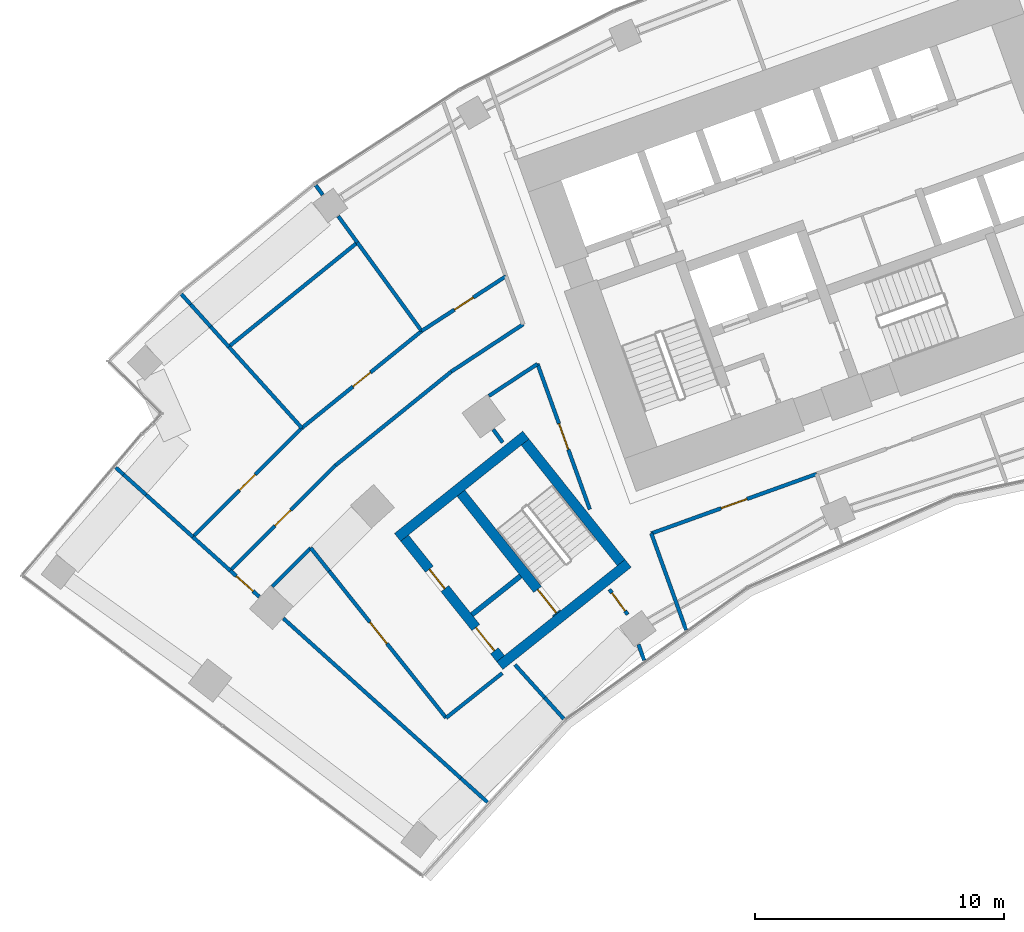
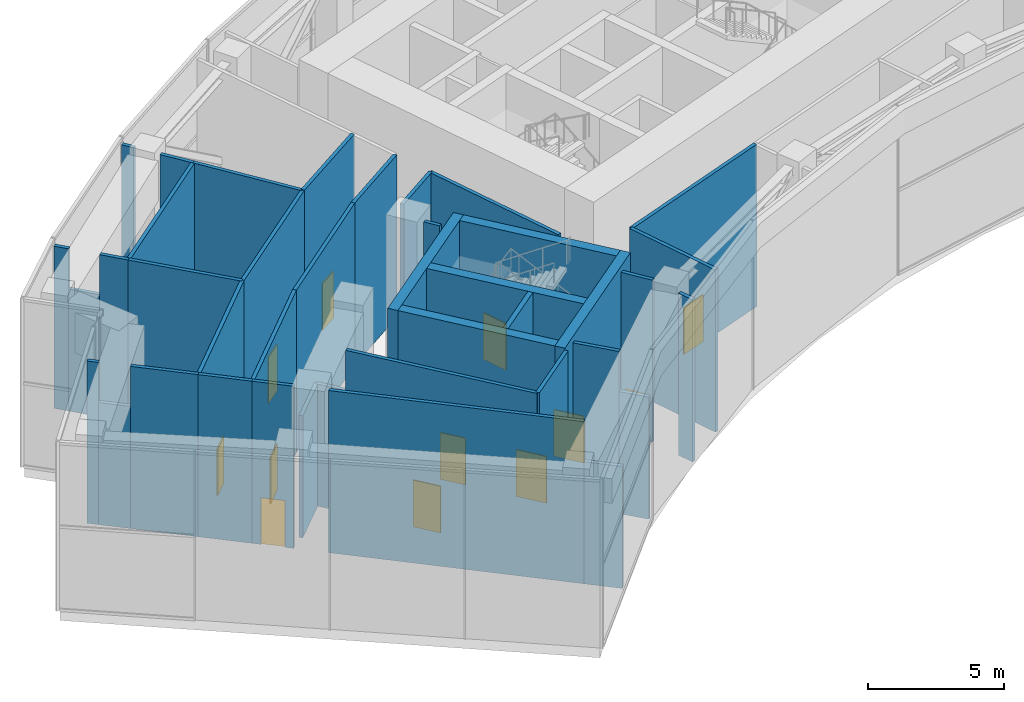
# One storey, part 23 of 32: 40 walls, 12 doors, 12 openings.
"""IFC4 building model written with IfcOpenShell, lengths in metres."""

from ifc_helpers import new_model, si_unit, direction, frame, frame_2d, origin, place, context, subcontext, project, spatial, rectangle, extrude, material, layer, layer_set, type_object, element, fill, save


model = new_model("IFC4")

# Units and contexts
model_context = context("Model", 3, precision=1e-05, world=origin(), true_north=direction((0.0, 1.0)))
body_context = subcontext(model_context, "Body", "Model", "MODEL_VIEW")
ifc_project = project(units=[si_unit("LENGTHUNIT", "METRE"), si_unit("AREAUNIT", "SQUARE_METRE"), si_unit("VOLUMEUNIT", "CUBIC_METRE"), si_unit("PLANEANGLEUNIT", "RADIAN"), si_unit("MASSUNIT", "GRAM", prefix="KILO")], contexts=[model_context])

# Site, building, storey
site_placement = place(None, origin())
site = spatial("IfcSite", under=ifc_project, at=site_placement, CompositionType="ELEMENT")
building_placement = place(site_placement, origin())
building = spatial("IfcBuilding", under=site, at=building_placement, Name="Stone Belt Terrace Tower", CompositionType="ELEMENT")
storey_placement = place(building_placement, frame((0.0, 0.0, 193.39990234375)))
storey = spatial("IfcBuildingStorey", under=building, at=storey_placement, Name="L47", CompositionType="ELEMENT", Elevation=193.39990234375)

# Wall
ifc_material_1 = material(Name="Gypsum board partition")
ifc_layer_1 = layer(ifc_material_1, 0.14990234375)
ifc_layer_set_1 = layer_set([ifc_layer_1], Name="PARTITION 150 EI 60")
wall_type_1 = type_object("IfcWallType", Name="PARTITION 150 EI 60", PredefinedType="PARTITIONING", material=ifc_layer_set_1)
wall_1_placement = place(storey_placement, frame((-25.5859375, 39.79296875, 0.0), z_axis=(0.0, 0.0, 1.0), x_axis=(0.338545933013, -0.940949866486, 0.0)))
element("IfcWall", 1, at=wall_1_placement, inside=storey, type_object=wall_type_1, Name="L47/wall/i001", PredefinedType="PARTITIONING", context=body_context, shape_type="SweptSolid", body=[
    extrude(rectangle(XDim=4.135009765625, YDim=0.14990234375, at=frame_2d((2.0673828125, 0.0))), origin(), (0.0, 0.0, 1.0), 7.280029296875),
])

# Wall, opening, door
wall_2_placement = place(storey_placement, frame((-28.05810546875, 40.75390625, 0.0), z_axis=(0.0, 0.0, 1.0), x_axis=(-0.338523697563, 0.94095786632, 0.0)))
wall_2 = element("IfcWall", 2, at=wall_2_placement, inside=storey, type_object=wall_type_1, Name="L47/wall/i003", PredefinedType="PARTITIONING", context=body_context, shape_type="SweptSolid", body=[
    extrude(rectangle(XDim=6.226806640625, YDim=0.14990234375, at=frame_2d((3.11328125, 0.0))), origin(), (0.0, 0.0, 1.0), 7.280029296875),
])
opening_1_placement = place(wall_2_placement, frame((2.563232421875, 0.0, 0.0)))
opening_1 = element("IfcOpeningElement", 3, at=opening_1_placement, cuts=wall_2, Name="Opening D-T3-12", PredefinedType="OPENING", context=body_context, shape_type="SweptSolid", body=[
    extrude(rectangle(XDim=1.10009765625, YDim=2.10009765625, at=frame_2d((0.550048828125, 1.050048828125))), frame((0.0, 0.0849609375, 0.0), z_axis=(0.0, -1.0, 0.0), x_axis=(1.0, 0.0, 0.0)), (0.0, 0.0, 1.0), 0.169921875),
])
ifc_material_2 = material(Name="Steel fire door set", Category="steel")
door_type_1 = type_object("IfcDoorType", Name="SERVICE ROOM DOOR 1100 X 2100", OperationType="NOTDEFINED", PredefinedType="DOOR", material=ifc_material_2)
door_1_placement = place(opening_1_placement, origin())
door_1 = element("IfcDoor", 4, at=door_1_placement, inside=storey, type_object=door_type_1, Name="L47/door/i12", OperationType="SINGLE_SWING_RIGHT", OverallHeight=2.10009765625, OverallWidth=1.10009765625, PredefinedType="DOOR", context=body_context, shape_type="SweptSolid", body=[
    extrude(rectangle(XDim=1.10009765625, YDim=2.10009765625, at=frame_2d((0.550048828125, 1.050048828125))), frame((0.0, 0.02490234375, 0.0), z_axis=(0.0, -1.0, 0.0), x_axis=(1.0, 0.0, 0.0)), (0.0, 0.0, 1.0), 0.050048828125),
])
fill(opening_1, door_1)

# Wall
wall_3_placement = place(storey_placement, frame((-25.870849609375, 34.67822265625, 0.0), z_axis=(0.0, 0.0, 1.0), x_axis=(-0.338744881741, 0.940878262632, 0.0)))
element("IfcWall", 5, at=wall_3_placement, inside=storey, type_object=wall_type_1, Name="L47/wall/i004", PredefinedType="PARTITIONING", context=body_context, shape_type="SweptSolid", body=[
    extrude(rectangle(XDim=0.680419921875, YDim=0.14990234375, at=frame_2d((0.34033203125, 0.0))), origin(), (0.0, 0.0, 1.0), 7.280029296875),
])

# Wall, opening, door
wall_4_placement = place(storey_placement, frame((-26.534912109375, 36.52294921875, 0.0), z_axis=(0.0, 0.0, 1.0), x_axis=(-0.58822969918, 0.80869389821, 0.0)))
wall_4 = element("IfcWall", 6, at=wall_4_placement, inside=storey, type_object=wall_type_1, Name="L47/wall/i005", PredefinedType="PARTITIONING", context=body_context, shape_type="SweptSolid", body=[
    extrude(rectangle(XDim=1.25146484375, YDim=0.14990234375, at=frame_2d((0.625732421875, 0.0))), origin(), (0.0, 0.0, 1.0), 7.280029296875),
])
opening_2_placement = place(wall_4_placement, frame((0.17578125, 0.0, 0.0)))
opening_2 = element("IfcOpeningElement", 7, at=opening_2_placement, cuts=wall_4, Name="Opening D-T3-13", PredefinedType="OPENING", context=body_context, shape_type="SweptSolid", body=[
    extrude(rectangle(XDim=0.89990234375, YDim=2.10009765625, at=frame_2d((0.449951171875, 1.050048828125))), frame((0.0, 0.0849609375, 0.0), z_axis=(0.0, -1.0, 0.0), x_axis=(1.0, 0.0, 0.0)), (0.0, 0.0, 1.0), 0.169921875),
])
door_type_2 = type_object("IfcDoorType", Name="SERVICE ROOM DOOR 900 X 2100", OperationType="NOTDEFINED", PredefinedType="DOOR", material=ifc_material_2)
door_2_placement = place(opening_2_placement, origin())
door_2 = element("IfcDoor", 8, at=door_2_placement, inside=storey, type_object=door_type_2, Name="L47/door/i13", OperationType="SINGLE_SWING_RIGHT", OverallHeight=2.10009765625, OverallWidth=0.89990234375, PredefinedType="DOOR", context=body_context, shape_type="SweptSolid", body=[
    extrude(rectangle(XDim=0.89990234375, YDim=2.10009765625, at=frame_2d((0.449951171875, 1.050048828125))), frame((0.0, 0.02490234375, 0.0), z_axis=(0.0, -1.0, 0.0), x_axis=(1.0, 0.0, 0.0)), (0.0, 0.0, 1.0), 0.050048828125),
])
fill(opening_2, door_2)

wall_5_placement = place(storey_placement, frame((-18.928955078125, 42.181884765625, 0.0), z_axis=(0.0, 0.0, 1.0), x_axis=(-0.940934046642, -0.338589899245, 0.0)))
wall_5 = element("IfcWall", 9, at=wall_5_placement, inside=storey, type_object=wall_type_1, Name="L47/wall/i012", PredefinedType="PARTITIONING", context=body_context, shape_type="SweptSolid", body=[
    extrude(rectangle(XDim=7.07275390625, YDim=0.14990234375, at=frame_2d((3.536376953125, 0.0))), origin(), (0.0, 0.0, 1.0), 7.280029296875),
])
opening_3_placement = place(wall_5_placement, frame((2.986328125, 0.0, 0.0)))
opening_3 = element("IfcOpeningElement", 10, at=opening_3_placement, cuts=wall_5, Name="Opening D-T3-01", PredefinedType="OPENING", context=body_context, shape_type="SweptSolid", body=[
    extrude(rectangle(XDim=1.10009765625, YDim=2.10009765625, at=frame_2d((0.550048828125, 1.050048828125))), frame((0.0, 0.0849609375, 0.0), z_axis=(0.0, -1.0, 0.0), x_axis=(1.0, 0.0, 0.0)), (0.0, 0.0, 1.0), 0.169921875),
])
door_3_placement = place(opening_3_placement, origin())
door_3 = element("IfcDoor", 11, at=door_3_placement, inside=storey, type_object=door_type_1, Name="L47/door/i01", OperationType="SINGLE_SWING_LEFT", OverallHeight=2.10009765625, OverallWidth=1.10009765625, PredefinedType="DOOR", context=body_context, shape_type="SweptSolid", body=[
    extrude(rectangle(XDim=1.10009765625, YDim=2.10009765625, at=frame_2d((0.550048828125, 1.050048828125))), frame((0.0, 0.02490234375, 0.0), z_axis=(0.0, -1.0, 0.0), x_axis=(1.0, 0.0, 0.0)), (0.0, 0.0, 1.0), 0.050048828125),
])
fill(opening_3, door_3)

wall_6_placement = place(storey_placement, frame((-41.35986328125, 37.240478515625, 0.0), z_axis=(0.0, 0.0, 1.0), x_axis=(-0.742885543222, 0.669418456327, 0.0)))
wall_6 = element("IfcWall", 12, at=wall_6_placement, inside=storey, type_object=wall_type_1, Name="L47/wall/i036", PredefinedType="PARTITIONING", context=body_context, shape_type="SweptSolid", body=[
    extrude(rectangle(XDim=1.5751953125, YDim=0.14990234375, at=frame_2d((0.78759765625, 0.0))), origin(), (0.0, 0.0, 1.0), 7.280029296875),
])
opening_4_placement = place(wall_6_placement, frame((0.337646484375, 0.0, 0.0)))
opening_4 = element("IfcOpeningElement", 13, at=opening_4_placement, cuts=wall_6, Name="Opening D-T3-11", PredefinedType="OPENING", context=body_context, shape_type="SweptSolid", body=[
    extrude(rectangle(XDim=0.89990234375, YDim=2.10009765625, at=frame_2d((0.449951171875, 1.050048828125))), frame((0.0, 0.0849609375, 0.0), z_axis=(0.0, -1.0, 0.0), x_axis=(1.0, 0.0, 0.0)), (0.0, 0.0, 1.0), 0.169921875),
])
door_4_placement = place(opening_4_placement, origin())
door_4 = element("IfcDoor", 14, at=door_4_placement, inside=storey, type_object=door_type_2, Name="L47/door/i11", OperationType="SINGLE_SWING_RIGHT", OverallHeight=2.10009765625, OverallWidth=0.89990234375, PredefinedType="DOOR", context=body_context, shape_type="SweptSolid", body=[
    extrude(rectangle(XDim=0.89990234375, YDim=2.10009765625, at=frame_2d((0.449951171875, 1.050048828125))), frame((0.0, 0.02490234375, 0.0), z_axis=(0.0, -1.0, 0.0), x_axis=(1.0, 0.0, 0.0)), (0.0, 0.0, 1.0), 0.050048828125),
])
fill(opening_4, door_4)

# Walls
wall_7_placement = place(storey_placement, frame((-40.385986328125, 36.3642578125, 0.0), z_axis=(0.0, 0.0, 1.0), x_axis=(0.743117141766, -0.669161350956, 0.0)))
element("IfcWall", 15, at=wall_7_placement, inside=storey, type_object=wall_type_1, Name="L47/wall/i037-1", PredefinedType="PARTITIONING", context=body_context, shape_type="SweptSolid", body=[
    extrude(rectangle(XDim=9.60302734375, YDim=0.14990234375, at=frame_2d((4.801513671875, 0.0))), origin(), (0.0, 0.0, 1.0), 7.280029296875),
])
wall_8_placement = place(storey_placement, frame((-33.249755859375, 29.938232421875, 0.0), z_axis=(0.0, 0.0, 1.0), x_axis=(0.743201773194, -0.6690673541, 0.0)))
element("IfcWall", 16, at=wall_8_placement, inside=storey, type_object=wall_type_1, Name="L47/wall/i037-2", PredefinedType="PARTITIONING", context=body_context, shape_type="SweptSolid", body=[
    extrude(rectangle(XDim=1.44580078125, YDim=0.14990234375, at=frame_2d((0.722900390625, 0.0))), origin(), (0.0, 0.0, 1.0), 5.47998046875),
])
wall_9_placement = place(storey_placement, frame((-44.033935546875, 39.64794921875, 0.0), z_axis=(0.0, 0.0, 1.0), x_axis=(0.743276242629, -0.668984623997, 0.0)))
element("IfcWall", 17, at=wall_9_placement, inside=storey, type_object=wall_type_1, Name="L47/wall/i038", PredefinedType="PARTITIONING", context=body_context, shape_type="SweptSolid", body=[
    extrude(rectangle(XDim=2.0341796875, YDim=0.14990234375, at=frame_2d((1.01708984375, 0.0))), origin(), (0.0, 0.0, 1.0), 7.280029296875),
])
wall_10_placement = place(storey_placement, frame((-47.133056640625, 42.438720703125, 0.0), z_axis=(0.0, 0.0, 1.0), x_axis=(0.743265954912, -0.668996054001, 0.0)))
element("IfcWall", 18, at=wall_10_placement, inside=storey, type_object=wall_type_1, Name="L47/wall/i039-1", PredefinedType="PARTITIONING", context=body_context, shape_type="SweptSolid", body=[
    extrude(rectangle(XDim=0.4306640625, YDim=0.14990234375, at=frame_2d((0.21533203125, 0.0))), origin(), (0.0, 0.0, 1.0), 7.280029296875),
])
wall_11_placement = place(storey_placement, frame((-46.81298828125, 42.150634765625, 0.0), z_axis=(0.0, 0.0, 1.0), x_axis=(0.743183102844, -0.669088092591, 0.0)))
element("IfcWall", 19, at=wall_11_placement, inside=storey, type_object=wall_type_1, Name="L47/wall/i039-2", PredefinedType="PARTITIONING", context=body_context, shape_type="SweptSolid", body=[
    extrude(rectangle(XDim=1.20263671875, YDim=0.14990234375, at=frame_2d((0.601318359375, 0.0))), origin(), (0.0, 0.0, 1.0), 5.47998046875),
])
wall_12_placement = place(storey_placement, frame((-45.919189453125, 41.345947265625, 0.0), z_axis=(0.0, 0.0, 1.0), x_axis=(0.743298909679, -0.668959438882, 0.0)))
element("IfcWall", 20, at=wall_12_placement, inside=storey, type_object=wall_type_1, Name="L47/wall/i039-3", PredefinedType="PARTITIONING", context=body_context, shape_type="SweptSolid", body=[
    extrude(rectangle(XDim=2.548583984375, YDim=0.14990234375, at=frame_2d((1.2744140625, 0.0))), origin(), (0.0, 0.0, 1.0), 7.280029296875),
])
wall_13_placement = place(storey_placement, frame((-30.1650390625, 46.60595703125, 0.0), z_axis=(0.0, 0.0, 1.0), x_axis=(-0.835424653074, -0.549604993641, 0.0)))
element("IfcWall", 21, at=wall_13_placement, inside=storey, type_object=wall_type_1, Name="L47/wall/i040", PredefinedType="PARTITIONING", context=body_context, shape_type="SweptSolid", body=[
    extrude(rectangle(XDim=2.337890625, YDim=0.14990234375, at=frame_2d((1.1689453125, 0.0))), origin(), (0.0, 0.0, 1.0), 7.280029296875),
])
wall_14_placement = place(storey_placement, frame((-31.943115234375, 43.966064453125, 0.0), z_axis=(0.0, 0.0, 1.0), x_axis=(0.588149120926, -0.808752503275, 0.0)))
element("IfcWall", 22, at=wall_14_placement, inside=storey, type_object=wall_type_1, Name="L47/wall/i041", PredefinedType="PARTITIONING", context=body_context, shape_type="SweptSolid", body=[
    extrude(rectangle(XDim=0.64306640625, YDim=0.14990234375, at=frame_2d((0.321533203125, 0.0))), origin(), (0.0, 0.0, 1.0), 7.280029296875),
])
wall_15_placement = place(storey_placement, frame((-39.281982421875, 39.205078125, 0.0), z_axis=(0.0, 0.0, 1.0), x_axis=(-0.707106781187, -0.707106781187, 0.0)))
element("IfcWall", 23, at=wall_15_placement, inside=storey, type_object=wall_type_1, Name="L47/wall/i042", PredefinedType="PARTITIONING", context=body_context, shape_type="SweptSolid", body=[
    extrude(rectangle(XDim=2.1982421875, YDim=0.14990234375, at=frame_2d((1.09912109375, 0.0))), origin(), (0.0, 0.0, 1.0), 5.47998046875),
])

# Wall, opening, door
wall_16_placement = place(storey_placement, frame((-42.52587890625, 38.291015625, 0.0), z_axis=(0.0, 0.0, 1.0), x_axis=(0.707106781187, 0.707106781187, 0.0)))
wall_16 = element("IfcWall", 24, at=wall_16_placement, inside=storey, type_object=wall_type_1, Name="L47/wall/i043", PredefinedType="PARTITIONING", context=body_context, shape_type="SweptSolid", body=[
    extrude(rectangle(XDim=5.989013671875, YDim=0.14990234375, at=frame_2d((2.99462890625, 0.0))), origin(), (0.0, 0.0, 1.0), 7.280029296875),
])
opening_5_placement = place(wall_16_placement, frame((2.544677734375, 0.0, 0.0)))
opening_5 = element("IfcOpeningElement", 25, at=opening_5_placement, cuts=wall_16, Name="Opening D-T3-15", PredefinedType="OPENING", context=body_context, shape_type="SweptSolid", body=[
    extrude(rectangle(XDim=0.89990234375, YDim=2.10009765625, at=frame_2d((0.449951171875, 1.050048828125))), frame((0.0, 0.0849609375, 0.0), z_axis=(0.0, -1.0, 0.0), x_axis=(1.0, 0.0, 0.0)), (0.0, 0.0, 1.0), 0.169921875),
])
ifc_material_3 = material(Name="Timber door leaf", Category="wood")
door_type_3 = type_object("IfcDoorType", Name="OFFICE DOOR 900 X 2100", OperationType="NOTDEFINED", PredefinedType="DOOR", material=ifc_material_3)
door_5_placement = place(opening_5_placement, origin())
door_5 = element("IfcDoor", 26, at=door_5_placement, inside=storey, type_object=door_type_3, Name="L47/door/i15", OperationType="SINGLE_SWING_RIGHT", OverallHeight=2.10009765625, OverallWidth=0.89990234375, PredefinedType="DOOR", context=body_context, shape_type="SweptSolid", body=[
    extrude(rectangle(XDim=0.89990234375, YDim=2.10009765625, at=frame_2d((0.449951171875, 1.050048828125))), frame((0.0, 0.02490234375, 0.0), z_axis=(0.0, -1.0, 0.0), x_axis=(1.0, 0.0, 0.0)), (0.0, 0.0, 1.0), 0.050048828125),
])
fill(opening_5, door_5)

# Walls
wall_17_placement = place(storey_placement, frame((-38.2900390625, 42.527099609375, 0.0), z_axis=(0.0, 0.0, 1.0), x_axis=(0.77714422733, 0.629322532513, 0.0)))
element("IfcWall", 27, at=wall_17_placement, inside=storey, type_object=wall_type_1, Name="L47/wall/i044", PredefinedType="PARTITIONING", context=body_context, shape_type="SweptSolid", body=[
    extrude(rectangle(XDim=5.98876953125, YDim=0.14990234375, at=frame_2d((2.994384765625, 0.0))), origin(), (0.0, 0.0, 1.0), 7.280029296875),
])
wall_18_placement = place(storey_placement, frame((-33.635986328125, 46.2958984375, 0.0), z_axis=(0.0, 0.0, 1.0), x_axis=(0.835274160171, 0.549833681535, 0.0)))
element("IfcWall", 28, at=wall_18_placement, inside=storey, type_object=wall_type_1, Name="L47/wall/i045", PredefinedType="PARTITIONING", context=body_context, shape_type="SweptSolid", body=[
    extrude(rectangle(XDim=3.46826171875, YDim=0.14990234375, at=frame_2d((1.734130859375, 0.0))), origin(), (0.0, 0.0, 1.0), 7.280029296875),
])
wall_19_placement = place(storey_placement, frame((-31.5810546875, 34.1650390625, 0.0), z_axis=(0.0, 0.0, 1.0), x_axis=(-0.782079504581, -0.623178665003, 0.0)))
element("IfcWall", 29, at=wall_19_placement, inside=storey, type_object=wall_type_1, Name="L47/wall/i046", PredefinedType="PARTITIONING", context=body_context, shape_type="SweptSolid", body=[
    extrude(rectangle(XDim=2.888427734375, YDim=0.14990234375, at=frame_2d((1.4443359375, 0.0))), origin(), (0.0, 0.0, 1.0), 7.280029296875),
])

# Wall, opening, door
wall_20_placement = place(storey_placement, frame((-33.840087890625, 32.364990234375, 0.0), z_axis=(0.0, 0.0, 1.0), x_axis=(-0.623088741874, 0.782151148915, 0.0)))
wall_20 = element("IfcWall", 30, at=wall_20_placement, inside=storey, type_object=wall_type_1, Name="L47/wall/i047-1", PredefinedType="PARTITIONING", context=body_context, shape_type="SweptSolid", body=[
    extrude(rectangle(XDim=7.550048828125, YDim=0.14990234375, at=frame_2d((3.77490234375, 0.0))), origin(), (0.0, 0.0, 1.0), 7.280029296875),
])
opening_6_placement = place(wall_20_placement, frame((3.820068359375, 0.0, 0.0)))
opening_6 = element("IfcOpeningElement", 31, at=opening_6_placement, cuts=wall_20, Name="Opening D-T3-14", PredefinedType="OPENING", context=body_context, shape_type="SweptSolid", body=[
    extrude(rectangle(XDim=1.10009765625, YDim=2.10009765625, at=frame_2d((0.550048828125, 1.050048828125))), frame((0.0, 0.0849609375, 0.0), z_axis=(0.0, -1.0, 0.0), x_axis=(1.0, 0.0, 0.0)), (0.0, 0.0, 1.0), 0.169921875),
])
door_6_placement = place(opening_6_placement, origin())
door_6 = element("IfcDoor", 32, at=door_6_placement, inside=storey, type_object=door_type_1, Name="L47/door/i14", OperationType="SINGLE_SWING_LEFT", OverallHeight=2.10009765625, OverallWidth=1.10009765625, PredefinedType="DOOR", context=body_context, shape_type="SweptSolid", body=[
    extrude(rectangle(XDim=1.10009765625, YDim=2.10009765625, at=frame_2d((0.550048828125, 1.050048828125))), frame((0.0, 0.02490234375, 0.0), z_axis=(0.0, -1.0, 0.0), x_axis=(1.0, 0.0, 0.0)), (0.0, 0.0, 1.0), 0.050048828125),
])
fill(opening_6, door_6)

# Walls
wall_21_placement = place(storey_placement, frame((-38.54443359375, 38.270263671875, 0.0), z_axis=(0.0, 0.0, 1.0), x_axis=(-0.623117427756, 0.782128295886, 0.0)))
element("IfcWall", 33, at=wall_21_placement, inside=storey, type_object=wall_type_1, Name="L47/wall/i047-2", PredefinedType="PARTITIONING", context=body_context, shape_type="SweptSolid", body=[
    extrude(rectangle(XDim=1.18994140625, YDim=0.14990234375, at=frame_2d((0.594970703125, 0.0))), origin(), (0.0, 0.0, 1.0), 5.47998046875),
])
wall_22_placement = place(storey_placement, frame((-29.107177734375, 32.32666015625, 0.0), z_axis=(0.0, 0.0, 1.0), x_axis=(-0.669199294348, 0.743082972785, 0.0)))
element("IfcWall", 34, at=wall_22_placement, inside=storey, type_object=wall_type_1, Name="L47/wall/i048-1", PredefinedType="PARTITIONING", context=body_context, shape_type="SweptSolid", body=[
    extrude(rectangle(XDim=1.14990234375, YDim=0.14990234375, at=frame_2d((0.574951171875, 0.0))), origin(), (0.0, 0.0, 1.0), 5.47998046875),
])
wall_23_placement = place(storey_placement, frame((-29.876708984375, 33.18115234375, 0.0), z_axis=(0.0, 0.0, 1.0), x_axis=(-0.66927457461, 0.743015170626, 0.0)))
element("IfcWall", 35, at=wall_23_placement, inside=storey, type_object=wall_type_1, Name="L47/wall/i048-2", PredefinedType="PARTITIONING", context=body_context, shape_type="SweptSolid", body=[
    extrude(rectangle(XDim=1.784423828125, YDim=0.14990234375, at=frame_2d((0.89208984375, 0.0))), origin(), (0.0, 0.0, 1.0), 7.280029296875),
])

# Wall, opening, door
wall_24_placement = place(storey_placement, frame((-44.029052734375, 39.64501953125, 0.0), z_axis=(0.0, 0.0, 1.0), x_axis=(0.707106781187, 0.707106781187, 0.0)))
wall_24 = element("IfcWall", 36, at=wall_24_placement, inside=storey, type_object=wall_type_1, Name="L47/wall/i049", PredefinedType="PARTITIONING", context=body_context, shape_type="SweptSolid", body=[
    extrude(rectangle(XDim=6.201416015625, YDim=0.14990234375, at=frame_2d((3.1005859375, 0.0))), origin(), (0.0, 0.0, 1.0), 7.280029296875),
])
opening_7_placement = place(wall_24_placement, frame((2.650634765625, 0.0, 0.0)))
opening_7 = element("IfcOpeningElement", 37, at=opening_7_placement, cuts=wall_24, Name="Opening D-T3-16", PredefinedType="OPENING", context=body_context, shape_type="SweptSolid", body=[
    extrude(rectangle(XDim=0.89990234375, YDim=2.10009765625, at=frame_2d((0.449951171875, 1.050048828125))), frame((0.0, 0.0849609375, 0.0), z_axis=(0.0, -1.0, 0.0), x_axis=(1.0, 0.0, 0.0)), (0.0, 0.0, 1.0), 0.169921875),
])
door_7_placement = place(opening_7_placement, origin())
door_7 = element("IfcDoor", 38, at=door_7_placement, inside=storey, type_object=door_type_3, Name="L47/door/i16", OperationType="SINGLE_SWING_RIGHT", OverallHeight=2.10009765625, OverallWidth=0.89990234375, PredefinedType="DOOR", context=body_context, shape_type="SweptSolid", body=[
    extrude(rectangle(XDim=0.89990234375, YDim=2.10009765625, at=frame_2d((0.449951171875, 1.050048828125))), frame((0.0, 0.02490234375, 0.0), z_axis=(0.0, -1.0, 0.0), x_axis=(1.0, 0.0, 0.0)), (0.0, 0.0, 1.0), 0.050048828125),
])
fill(opening_7, door_7)

wall_25_placement = place(storey_placement, frame((-39.64404296875, 44.030029296875, 0.0), z_axis=(0.0, 0.0, 1.0), x_axis=(0.777190769916, 0.629265053184, 0.0)))
wall_25 = element("IfcWall", 39, at=wall_25_placement, inside=storey, type_object=wall_type_1, Name="L47/wall/i050", PredefinedType="PARTITIONING", context=body_context, shape_type="SweptSolid", body=[
    extrude(rectangle(XDim=6.20068359375, YDim=0.14990234375, at=frame_2d((3.100341796875, 0.0))), origin(), (0.0, 0.0, 1.0), 7.280029296875),
])
opening_8_placement = place(wall_25_placement, frame((2.650390625, 0.0, 0.0)))
opening_8 = element("IfcOpeningElement", 40, at=opening_8_placement, cuts=wall_25, Name="Opening D-T3-17", PredefinedType="OPENING", context=body_context, shape_type="SweptSolid", body=[
    extrude(rectangle(XDim=0.89990234375, YDim=2.10009765625, at=frame_2d((0.449951171875, 1.050048828125))), frame((0.0, 0.0849609375, 0.0), z_axis=(0.0, -1.0, 0.0), x_axis=(1.0, 0.0, 0.0)), (0.0, 0.0, 1.0), 0.169921875),
])
door_8_placement = place(opening_8_placement, origin())
door_8 = element("IfcDoor", 41, at=door_8_placement, inside=storey, type_object=door_type_3, Name="L47/door/i17", OperationType="SINGLE_SWING_RIGHT", OverallHeight=2.10009765625, OverallWidth=0.89990234375, PredefinedType="DOOR", context=body_context, shape_type="SweptSolid", body=[
    extrude(rectangle(XDim=0.89990234375, YDim=2.10009765625, at=frame_2d((0.449951171875, 1.050048828125))), frame((0.0, 0.02490234375, 0.0), z_axis=(0.0, -1.0, 0.0), x_axis=(1.0, 0.0, 0.0)), (0.0, 0.0, 1.0), 0.050048828125),
])
fill(opening_8, door_8)

wall_26_placement = place(storey_placement, frame((-34.824951171875, 47.931884765625, 0.0), z_axis=(0.0, 0.0, 1.0), x_axis=(0.838660143757, 0.544655086521, 0.0)))
wall_26 = element("IfcWall", 42, at=wall_26_placement, inside=storey, type_object=wall_type_1, Name="L47/wall/i051", PredefinedType="PARTITIONING", context=body_context, shape_type="SweptSolid", body=[
    extrude(rectangle(XDim=4.043212890625, YDim=0.14990234375, at=frame_2d((2.021484375, 0.0))), origin(), (0.0, 0.0, 1.0), 7.280029296875),
])
opening_9_placement = place(wall_26_placement, frame((1.571533203125, 0.0, 0.0)))
opening_9 = element("IfcOpeningElement", 43, at=opening_9_placement, cuts=wall_26, Name="Opening D-T3-18", PredefinedType="OPENING", context=body_context, shape_type="SweptSolid", body=[
    extrude(rectangle(XDim=0.89990234375, YDim=2.10009765625, at=frame_2d((0.449951171875, 1.050048828125))), frame((0.0, 0.0849609375, 0.0), z_axis=(0.0, -1.0, 0.0), x_axis=(1.0, 0.0, 0.0)), (0.0, 0.0, 1.0), 0.169921875),
])
door_9_placement = place(opening_9_placement, origin())
door_9 = element("IfcDoor", 44, at=door_9_placement, inside=storey, type_object=door_type_3, Name="L47/door/i18", OperationType="SINGLE_SWING_RIGHT", OverallHeight=2.10009765625, OverallWidth=0.89990234375, PredefinedType="DOOR", context=body_context, shape_type="SweptSolid", body=[
    extrude(rectangle(XDim=0.89990234375, YDim=2.10009765625, at=frame_2d((0.449951171875, 1.050048828125))), frame((0.0, 0.02490234375, 0.0), z_axis=(0.0, -1.0, 0.0), x_axis=(1.0, 0.0, 0.0)), (0.0, 0.0, 1.0), 0.050048828125),
])
fill(opening_9, door_9)

# Walls
wall_27_placement = place(storey_placement, frame((-42.592041015625, 47.302978515625, 0.0), z_axis=(0.0, 0.0, 1.0), x_axis=(0.669258646934, -0.74302951725, 0.0)))
element("IfcWall", 45, at=wall_27_placement, inside=storey, type_object=wall_type_1, Name="L47/wall/i052", PredefinedType="PARTITIONING", context=body_context, shape_type="SweptSolid", body=[
    extrude(rectangle(XDim=4.40478515625, YDim=0.14990234375, at=frame_2d((2.202392578125, 0.0))), origin(), (0.0, 0.0, 1.0), 7.280029296875),
])
wall_28_placement = place(storey_placement, frame((-44.496826171875, 49.41943359375, 0.0), z_axis=(0.0, 0.0, 1.0), x_axis=(0.669012701712, -0.743250970364, 0.0)))
element("IfcWall", 46, at=wall_28_placement, inside=storey, type_object=wall_type_1, Name="L47/wall/i053-1", PredefinedType="PARTITIONING", context=body_context, shape_type="SweptSolid", body=[
    extrude(rectangle(XDim=0.562255859375, YDim=0.14990234375, at=frame_2d((0.28125, 0.0))), origin(), (0.0, 0.0, 1.0), 7.280029296875),
])
wall_29_placement = place(storey_placement, frame((-44.12060546875, 49.00146484375, 0.0), z_axis=(0.0, 0.0, 1.0), x_axis=(0.668841584511, -0.743404960185, 0.0)))
element("IfcWall", 47, at=wall_29_placement, inside=storey, type_object=wall_type_1, Name="L47/wall/i053-2", PredefinedType="PARTITIONING", context=body_context, shape_type="SweptSolid", body=[
    extrude(rectangle(XDim=1.204833984375, YDim=0.14990234375, at=frame_2d((0.6025390625, 0.0))), origin(), (0.0, 0.0, 1.0), 5.47998046875),
])
wall_30_placement = place(storey_placement, frame((-43.314697265625, 48.105712890625, 0.0), z_axis=(0.0, 0.0, 1.0), x_axis=(0.669026478043, -0.743238569827, 0.0)))
element("IfcWall", 48, at=wall_30_placement, inside=storey, type_object=wall_type_1, Name="L47/wall/i053-3", PredefinedType="PARTITIONING", context=body_context, shape_type="SweptSolid", body=[
    extrude(rectangle(XDim=1.09228515625, YDim=0.14990234375, at=frame_2d((0.546142578125, 0.0))), origin(), (0.0, 0.0, 1.0), 7.280029296875),
])
wall_31_placement = place(storey_placement, frame((-42.587890625, 47.299072265625, 0.0), z_axis=(0.0, 0.0, 1.0), x_axis=(0.777100621569, 0.629376377025, 0.0)))
element("IfcWall", 49, at=wall_31_placement, inside=storey, type_object=wall_type_1, Name="L47/wall/i054", PredefinedType="PARTITIONING", context=body_context, shape_type="SweptSolid", body=[
    extrude(rectangle(XDim=6.661865234375, YDim=0.14990234375, at=frame_2d((3.3310546875, 0.0))), origin(), (0.0, 0.0, 1.0), 7.280029296875),
])
wall_32_placement = place(storey_placement, frame((-37.410888671875, 51.491943359375, 0.0), z_axis=(0.0, 0.0, 1.0), x_axis=(0.587696525109, -0.809081451014, 0.0)))
element("IfcWall", 50, at=wall_32_placement, inside=storey, type_object=wall_type_1, Name="L47/wall/i055", PredefinedType="PARTITIONING", context=body_context, shape_type="SweptSolid", body=[
    extrude(rectangle(XDim=4.400146484375, YDim=0.14990234375, at=frame_2d((2.2001953125, 0.0))), origin(), (0.0, 0.0, 1.0), 7.280029296875),
])
wall_33_placement = place(storey_placement, frame((-39.087890625, 53.7998046875, 0.0), z_axis=(0.0, 0.0, 1.0), x_axis=(0.587839914735, -0.808977276964, 0.0)))
element("IfcWall", 51, at=wall_33_placement, inside=storey, type_object=wall_type_1, Name="L47/wall/i056", PredefinedType="PARTITIONING", context=body_context, shape_type="SweptSolid", body=[
    extrude(rectangle(XDim=0.4814453125, YDim=0.14990234375, at=frame_2d((0.24072265625, 0.0))), origin(), (0.0, 0.0, 1.0), 7.280029296875),
])
wall_34_placement = place(storey_placement, frame((-38.181884765625, 52.552978515625, 0.0), z_axis=(0.0, 0.0, 1.0), x_axis=(0.587839609229, -0.808977498958, 0.0)))
element("IfcWall", 52, at=wall_34_placement, inside=storey, type_object=wall_type_1, Name="L47/wall/i057", PredefinedType="PARTITIONING", context=body_context, shape_type="SweptSolid", body=[
    extrude(rectangle(XDim=1.3115234375, YDim=0.14990234375, at=frame_2d((0.65576171875, 0.0))), origin(), (0.0, 0.0, 1.0), 7.280029296875),
])
ifc_material_4 = material(Name="Concrete masonry block", Category="masonry")
ifc_layer_2 = layer(ifc_material_4, 0.199951171875)
ifc_layer_set_2 = layer_set([ifc_layer_2], Name="Rated lobby wall 200")
wall_type_2 = type_object("IfcWallType", Name="Rated lobby wall 200", PredefinedType="PARTITIONING", material=ifc_layer_set_2)
wall_35_placement = place(storey_placement, frame((-30.845703125, 38.074951171875, 0.0), z_axis=(0.0, 0.0, 1.0), x_axis=(-0.782115323833, -0.623133709749, 0.0)))
element("IfcWall", 53, at=wall_35_placement, inside=storey, type_object=wall_type_2, Name="Exit stair ST3A wall", PredefinedType="PARTITIONING", context=body_context, shape_type="SweptSolid", body=[
    extrude(rectangle(XDim=2.5, YDim=0.199951171875, at=frame_2d((1.25, 0.0))), origin(), (0.0, 0.0, 1.0), 7.280029296875),
])
ifc_material_5 = material(Name="Concrete B80", Category="concrete")
ifc_layer_3 = layer(ifc_material_5, 0.39990234375)
ifc_layer_set_3 = layer_set([ifc_layer_3], Name="Stair enclosure wall 400")
wall_type_3 = type_object("IfcWallType", Name="Stair enclosure wall 400", PredefinedType="SHEAR", material=ifc_layer_set_3)
for number, where, z_axis, x_axis, name in (
    (54, (-26.518798828125, 38.58154296875, 0.0), (0.0, 0.0, 1.0), (-0.782133914161, -0.623110375711, 0.0), "Exit stair ST3A wall"),
    (55, (-30.63134765625, 43.74365234375, 0.0), (0.0, 0.0, 1.0), (-0.782133914161, -0.623110375711, 0.0), "Exit stair ST3A wall"),
):
    element("IfcWall", number, at=place(storey_placement, frame(where, z_axis=z_axis, x_axis=x_axis)), inside=storey, type_object=wall_type_3, Name=name, PredefinedType="SHEAR", context=body_context, shape_type="SweptSolid", body=[
        extrude(rectangle(XDim=6.60009765625, YDim=0.39990234375, at=frame_2d((3.300048828125, 0.0))), origin(), (0.0, 0.0, 1.0), 7.280029296875),
    ])
wall_36_placement = place(storey_placement, frame((-26.7998046875, 38.61328125, 0.0), z_axis=(0.0, 0.0, 1.0), x_axis=(-0.623118653668, 0.782127319208, 0.0)))
element("IfcWall", 56, at=wall_36_placement, inside=storey, type_object=wall_type_3, Name="Exit stair ST3A wall", PredefinedType="SHEAR", context=body_context, shape_type="SweptSolid", body=[
    extrude(rectangle(XDim=6.199951171875, YDim=0.39990234375, at=frame_2d((3.10009765625, 0.0))), origin(), (0.0, 0.0, 1.0), 7.280029296875),
])

# Wall, openings, doors
wall_37_placement = place(storey_placement, frame((-31.64892578125, 34.75, 0.0), z_axis=(0.0, 0.0, 1.0), x_axis=(-0.623118653668, 0.782127319208, 0.0)))
wall_37 = element("IfcWall", 57, at=wall_37_placement, inside=storey, type_object=wall_type_3, Name="Exit stair ST3A wall", PredefinedType="SHEAR", context=body_context, shape_type="SweptSolid", body=[
    extrude(rectangle(XDim=6.199951171875, YDim=0.39990234375, at=frame_2d((3.10009765625, 0.0))), origin(), (0.0, 0.0, 1.0), 7.280029296875),
])
opening_10_placement = place(wall_37_placement, frame((0.39990234375, 0.0, 0.0)))
opening_10 = element("IfcOpeningElement", 58, at=opening_10_placement, cuts=wall_37, Name="Opening L47-C26", PredefinedType="OPENING", context=body_context, shape_type="SweptSolid", body=[
    extrude(rectangle(XDim=1.199951171875, YDim=2.10009765625, at=frame_2d((0.60009765625, 1.050048828125))), frame((0.0, 0.2099609375, 0.0), z_axis=(0.0, -1.0, 0.0), x_axis=(1.0, 0.0, 0.0)), (0.0, 0.0, 1.0), 0.419921875),
])
opening_11_placement = place(wall_37_placement, frame((3.60009765625, 0.0, 0.0)))
opening_11 = element("IfcOpeningElement", 59, at=opening_11_placement, cuts=wall_37, Name="Opening L47-C27", PredefinedType="OPENING", context=body_context, shape_type="SweptSolid", body=[
    extrude(rectangle(XDim=1.0, YDim=2.10009765625, at=frame_2d((0.5, 1.050048828125))), frame((0.0, 0.2099609375, 0.0), z_axis=(0.0, -1.0, 0.0), x_axis=(1.0, 0.0, 0.0)), (0.0, 0.0, 1.0), 0.419921875),
])
door_type_4 = type_object("IfcDoorType", Name="Core room door 1000", OperationType="SINGLE_SWING_LEFT", PredefinedType="DOOR", material=ifc_material_3)
door_10_placement = place(opening_11_placement, origin())
door_10 = element("IfcDoor", 60, at=door_10_placement, inside=storey, type_object=door_type_4, Name="Door to stair pressurisation plant room ST3A", OperationType="SINGLE_SWING_LEFT", OverallHeight=2.10009765625, OverallWidth=1.0, PredefinedType="DOOR", context=body_context, shape_type="SweptSolid", body=[
    extrude(rectangle(XDim=1.0, YDim=2.10009765625, at=frame_2d((0.5, 1.050048828125))), frame((0.0, 0.02490234375, 0.0), z_axis=(0.0, -1.0, 0.0), x_axis=(1.0, 0.0, 0.0)), (0.0, 0.0, 1.0), 0.050048828125),
])
fill(opening_11, door_10)
ifc_material_6 = material(Name="Steel door leaf", Category="steel")
door_type_5 = type_object("IfcDoorType", Name="Stair airlock door 1200", OperationType="SINGLE_SWING_LEFT", PredefinedType="DOOR", material=ifc_material_6)
door_11_placement = place(opening_10_placement, origin())
door_11 = element("IfcDoor", 61, at=door_11_placement, inside=storey, type_object=door_type_5, Name="Stair airlock door ST3A", OperationType="SINGLE_SWING_LEFT", OverallHeight=2.10009765625, OverallWidth=1.199951171875, PredefinedType="DOOR", context=body_context, shape_type="SweptSolid", body=[
    extrude(rectangle(XDim=1.199951171875, YDim=2.10009765625, at=frame_2d((0.60009765625, 1.050048828125))), frame((0.0, 0.02490234375, 0.0), z_axis=(0.0, -1.0, 0.0), x_axis=(1.0, 0.0, 0.0)), (0.0, 0.0, 1.0), 0.050048828125),
])
fill(opening_10, door_11)

# Wall, opening, door
wall_38_placement = place(storey_placement, frame((-29.380859375, 36.556884765625, 0.0), z_axis=(0.0, 0.0, 1.0), x_axis=(-0.623099462847, 0.782142608097, 0.0)))
wall_38 = element("IfcWall", 62, at=wall_38_placement, inside=storey, type_object=wall_type_3, Name="Exit stair ST3A wall", PredefinedType="SHEAR", context=body_context, shape_type="SweptSolid", body=[
    extrude(rectangle(XDim=6.2001953125, YDim=0.39990234375, at=frame_2d((3.10009765625, 0.0))), origin(), (0.0, 0.0, 1.0), 7.280029296875),
])
opening_12_placement = place(wall_38_placement, frame((0.050048828125, 0.0, 0.0)))
opening_12 = element("IfcOpeningElement", 63, at=opening_12_placement, cuts=wall_38, Name="Opening L47-C25", PredefinedType="OPENING", context=body_context, shape_type="SweptSolid", body=[
    extrude(rectangle(XDim=1.199951171875, YDim=2.10009765625, at=frame_2d((0.60009765625, 1.050048828125))), frame((0.0, 0.2099609375, 0.0), z_axis=(0.0, -1.0, 0.0), x_axis=(1.0, 0.0, 0.0)), (0.0, 0.0, 1.0), 0.419921875),
])
door_type_6 = type_object("IfcDoorType", Name="Stair door 1200", OperationType="SINGLE_SWING_LEFT", PredefinedType="DOOR", material=ifc_material_6)
door_12_placement = place(opening_12_placement, origin())
door_12 = element("IfcDoor", 64, at=door_12_placement, inside=storey, type_object=door_type_6, Name="Stair door ST3A", OperationType="SINGLE_SWING_RIGHT", OverallHeight=2.10009765625, OverallWidth=1.199951171875, PredefinedType="DOOR", context=body_context, shape_type="SweptSolid", body=[
    extrude(rectangle(XDim=1.199951171875, YDim=2.10009765625, at=frame_2d((0.60009765625, 1.050048828125))), frame((0.0, 0.02490234375, 0.0), z_axis=(0.0, -1.0, 0.0), x_axis=(1.0, 0.0, 0.0)), (0.0, 0.0, 1.0), 0.050048828125),
])
fill(opening_12, door_12)

save(model, "model.ifc")
